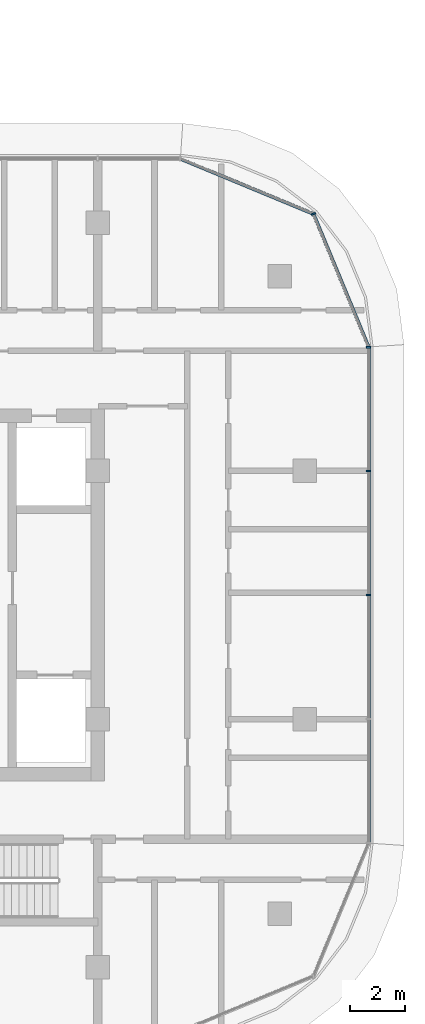
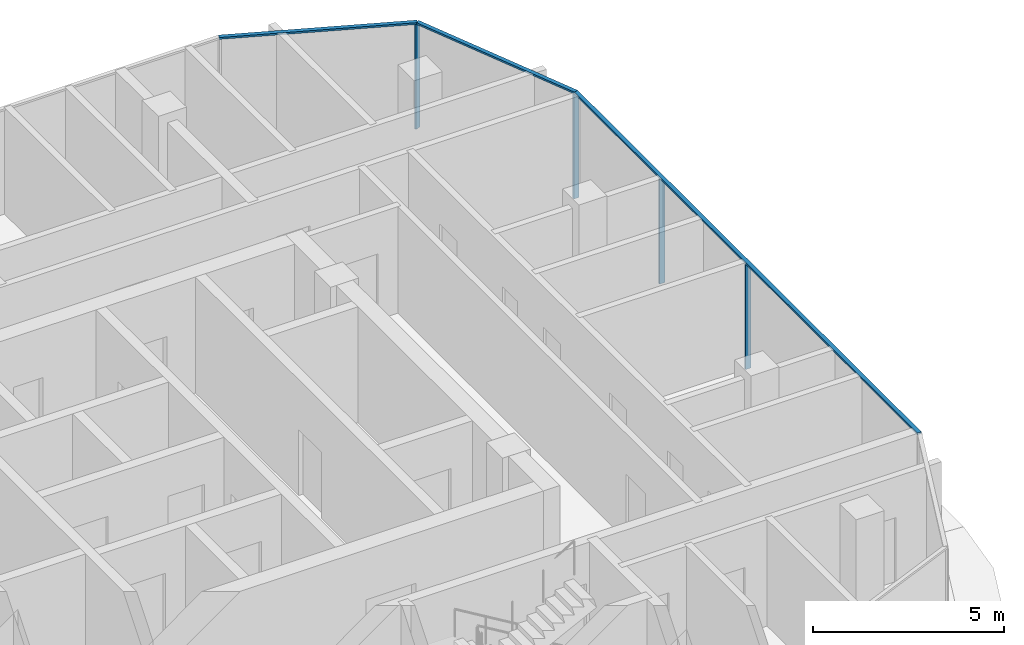
# One storey, part 13 of 36: 7 members, 2 elements without a shape of their own.
"""IFC4 building model written with IfcOpenShell, lengths in metres."""

from ifc_helpers import new_model, si_unit, direction, frame, origin, origin_2d, place, context, subcontext, project, spatial, rectangle, extrude, material, material_profile, profile_set, type_object, element, aggregate, save


model = new_model("IFC4")

# Units and contexts
model_context = context("Model", 3, precision=1e-05, world=origin(), true_north=direction((0.0, 1.0)))
body_context = subcontext(model_context, "Body", "Model", "MODEL_VIEW")
ifc_project = project(units=[si_unit("LENGTHUNIT", "METRE"), si_unit("AREAUNIT", "SQUARE_METRE"), si_unit("VOLUMEUNIT", "CUBIC_METRE"), si_unit("PLANEANGLEUNIT", "RADIAN"), si_unit("MASSUNIT", "GRAM", prefix="KILO")], contexts=[model_context])

# Site, building, storey
site_placement = place(None, origin())
site = spatial("IfcSite", under=ifc_project, at=site_placement, CompositionType="ELEMENT")
building_placement = place(site_placement, origin())
building = spatial("IfcBuilding", under=site, at=building_placement, Name="Ogive Portal Towers", CompositionType="ELEMENT")
storey_placement = place(building_placement, frame((0.0, 0.0, 63.10009765625)))
storey = spatial("IfcBuildingStorey", under=building, at=storey_placement, Name="L14", CompositionType="ELEMENT", Elevation=63.10009765625)

# Curtain wall, members
ifc_material_1 = material(Name="Glass, clear low-iron insulated glazing", Category="glass")
curtain_wall_type = type_object("IfcCurtainWallType", Name="CW RESIDENCES RIBBON", PredefinedType="NOTDEFINED", material=ifc_material_1)
curtain_wall_1_placement = place(storey_placement, origin())
curtain_wall_1 = element("IfcCurtainWall", 1, at=curtain_wall_1_placement, inside=storey, type_object=curtain_wall_type, Name="B:L14:f05:cw0", PredefinedType="NOTDEFINED")
ifc_material_2 = material(Name="Aluminium 6063 anodised", Category="aluminium")
ifc_material_profile_1 = material_profile(ifc_material_2, rectangle(XDim=0.159912109375, YDim=0.06005859375, at=origin_2d()), Name="AL 60x160")
ifc_profile_set_1 = profile_set([ifc_material_profile_1], Name="Aluminium 6063 anodised")
member_type_1 = type_object("IfcMemberType", Name="CW MULLION 60x160", PredefinedType="MULLION", material=ifc_profile_set_1)
member_1_placement = place(storey_placement, frame((153.820068359375, 31.0, 0.0), z_axis=(0.0, 0.0, 1.0), x_axis=(-1.0, 0.0, 0.0)))
member_1 = element("IfcMember", 2, at=member_1_placement, type_object=member_type_1, Name="mullion", PredefinedType="MULLION", context=body_context, shape_type="SweptSolid", body=[
    extrude(rectangle(XDim=0.159912109375, YDim=0.06005859375, at=origin_2d()), origin(), (0.0, 0.0, 1.0), 3.33984375),
])
member_2_placement = place(storey_placement, frame((153.820068359375, 35.5, 0.0), z_axis=(0.0, 0.0, 1.0), x_axis=(-1.0, 0.0, 0.0)))
member_2 = element("IfcMember", 3, at=member_2_placement, type_object=member_type_1, Name="mullion", PredefinedType="MULLION", context=body_context, shape_type="SweptSolid", body=[
    extrude(rectangle(XDim=0.159912109375, YDim=0.06005859375, at=origin_2d()), origin(), (0.0, 0.0, 1.0), 3.33984375),
])
member_3_placement = place(storey_placement, frame((153.820068359375, 39.984130859375, 0.0), z_axis=(0.0, 0.0, 1.0), x_axis=(-1.0, 0.0, 0.0)))
member_3 = element("IfcMember", 4, at=member_3_placement, type_object=member_type_1, Name="mullion", PredefinedType="MULLION", context=body_context, shape_type="SweptSolid", body=[
    extrude(rectangle(XDim=0.159912109375, YDim=0.06005859375, at=origin_2d()), origin(), (0.0, 0.0, 1.0), 3.33984375),
])

# Curtain wall, member
curtain_wall_2_placement = place(storey_placement, origin())
curtain_wall_2 = element("IfcCurtainWall", 5, at=curtain_wall_2_placement, inside=storey, type_object=curtain_wall_type, Name="B:L14:f06:cwa", PredefinedType="NOTDEFINED")
member_4_placement = place(storey_placement, frame((151.81787109375, 44.81787109375, 0.0), z_axis=(0.0, 0.0, 1.0), x_axis=(-0.923879532511, -0.382683432365, 0.0)))
member_4 = element("IfcMember", 6, at=member_4_placement, type_object=member_type_1, Name="mullion", PredefinedType="MULLION", context=body_context, shape_type="SweptSolid", body=[
    extrude(rectangle(XDim=0.159912109375, YDim=0.06005859375, at=origin_2d()), origin(), (0.0, 0.0, 1.0), 3.33984375),
])

# Member
ifc_material_profile_2 = material_profile(ifc_material_2, rectangle(XDim=0.1201171875, YDim=0.06005859375, at=origin_2d()), Name="AL 120x60")
ifc_profile_set_2 = profile_set([ifc_material_profile_2], Name="Aluminium 6063 anodised")
member_type_2 = type_object("IfcMemberType", Name="CW TRANSOM 60x120", PredefinedType="USERDEFINED", material=ifc_profile_set_2)
member_5_placement = place(storey_placement, frame((153.820068359375, 22.015869140625, 3.369873046875), z_axis=(0.0, 1.0, 0.0), x_axis=(-1.0, 0.0, 0.0)))
member_5 = element("IfcMember", 7, at=member_5_placement, type_object=member_type_2, Name="transom", ObjectType="TRANSOM", PredefinedType="USERDEFINED", context=body_context, shape_type="SweptSolid", body=[
    extrude(rectangle(XDim=0.1201171875, YDim=0.06005859375, at=origin_2d()), origin(), (0.0, 0.0, 1.0), 17.96826171875),
])

aggregate(curtain_wall_1, [member_5, member_1, member_2, member_3])

member_6_placement = place(storey_placement, frame((153.820068359375, 39.984130859375, 3.369873046875), z_axis=(-0.382682861952, 0.923879768784, 0.0), x_axis=(-0.923879768784, -0.382682861952, 0.0)))
member_6 = element("IfcMember", 8, at=member_6_placement, type_object=member_type_2, Name="transom", ObjectType="TRANSOM", PredefinedType="USERDEFINED", context=body_context, shape_type="SweptSolid", body=[
    extrude(rectangle(XDim=0.1201171875, YDim=0.06005859375, at=origin_2d()), origin(), (0.0, 0.0, 1.0), 5.23193359375),
])

member_7_placement = place(storey_placement, frame((151.81787109375, 44.81787109375, 3.369873046875), z_axis=(-0.923879768784, 0.382682861952, 0.0), x_axis=(-0.382682861952, -0.923879768784, 0.0)))
member_7 = element("IfcMember", 9, at=member_7_placement, type_object=member_type_2, Name="transom", ObjectType="TRANSOM", PredefinedType="USERDEFINED", context=body_context, shape_type="SweptSolid", body=[
    extrude(rectangle(XDim=0.1201171875, YDim=0.06005859375, at=origin_2d()), origin(), (0.0, 0.0, 1.0), 5.23193359375),
])

aggregate(curtain_wall_2, [member_6, member_7, member_4])

save(model, "model.ifc")
